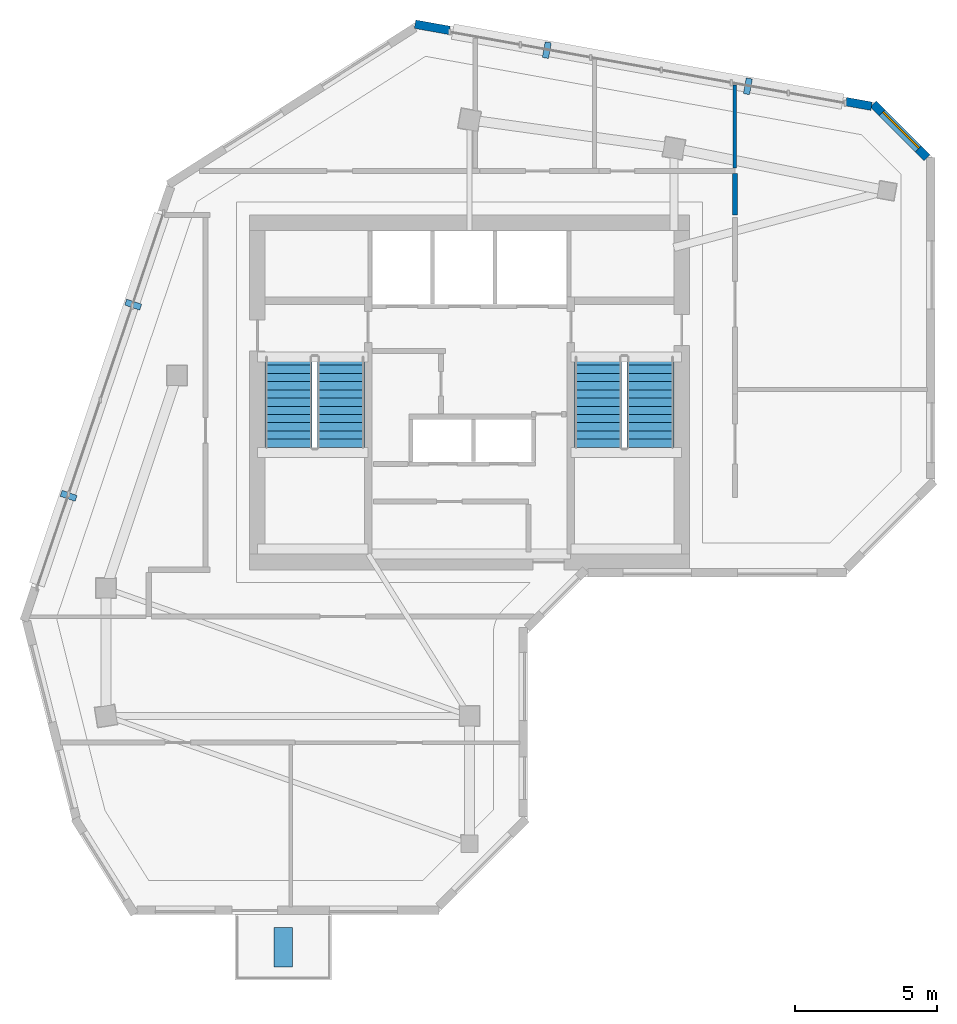
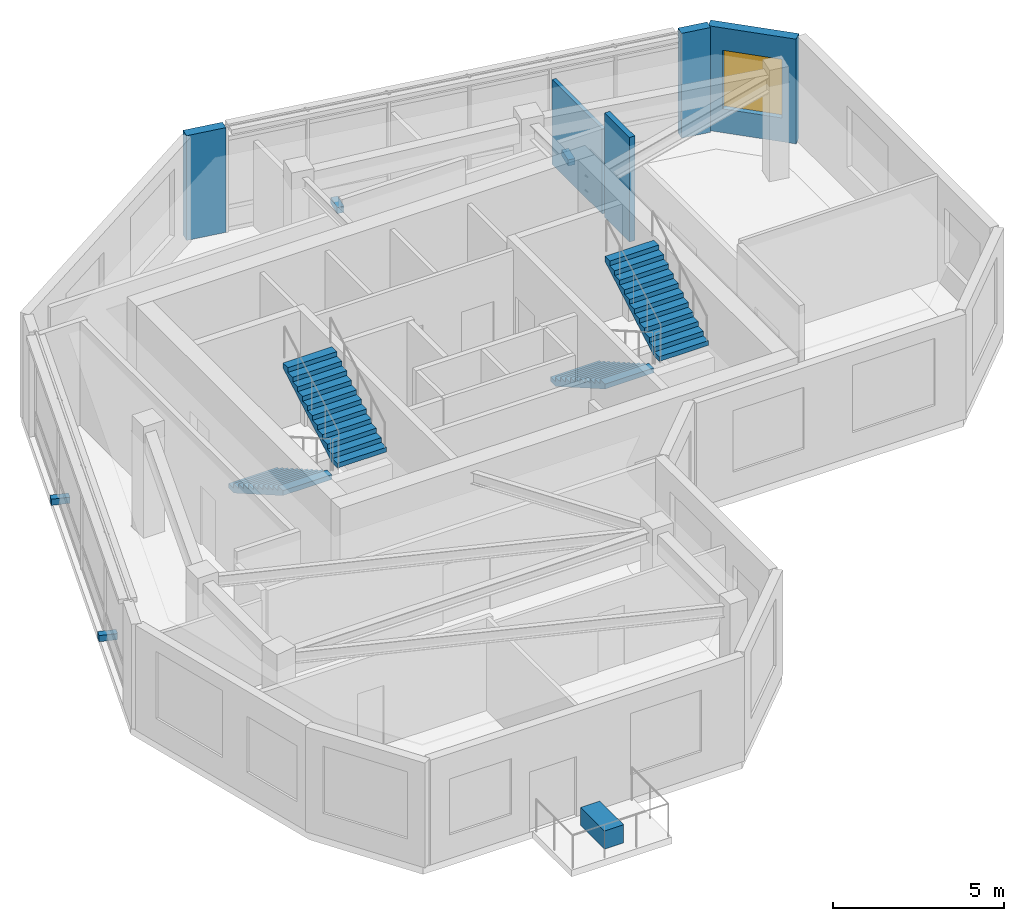
# One storey, part 5 of 8: 5 discrete accessories, 5 walls, 4 stair flights, 1 window, 1 opening, 2 elements without a shape of their own.
"""IFC4 building model written with IfcOpenShell, lengths in metres."""

from ifc_helpers import new_model, si_unit, direction, frame, frame_2d, origin, origin_2d, place, context, subcontext, project, spatial, polyline, rectangle, outline, extrude, source, transform, mapped, material, layer, layer_set, type_object, element, fill, aggregate, save


model = new_model("IFC4")

# Units and contexts
model_context = context("Model", 3, precision=1e-05, world=origin(), true_north=direction((0.0, 1.0)))
body_context = subcontext(model_context, "Body", "Model", "MODEL_VIEW")
ifc_project = project(units=[si_unit("LENGTHUNIT", "METRE"), si_unit("AREAUNIT", "SQUARE_METRE"), si_unit("VOLUMEUNIT", "CUBIC_METRE"), si_unit("PLANEANGLEUNIT", "RADIAN"), si_unit("MASSUNIT", "GRAM", prefix="KILO")], contexts=[model_context])

# Site, building, storey
site_placement = place(None, origin())
site = spatial("IfcSite", under=ifc_project, at=site_placement, CompositionType="ELEMENT")
building_placement = place(site_placement, origin())
building = spatial("IfcBuilding", under=site, at=building_placement, Name="Calvemar Wedge Station Tower", CompositionType="ELEMENT")
storey_placement = place(building_placement, frame((0.0, 0.0, 292.5)))
storey = spatial("IfcBuildingStorey", under=building, at=storey_placement, Name="L75", CompositionType="ELEMENT", Elevation=292.5)

# Wall
ifc_material_1 = material(Name="Double-stud fire-rated corridor partition")
ifc_layer_1 = layer(ifc_material_1, 0.179931640625)
ifc_layer_set_1 = layer_set([ifc_layer_1], Name="Double-stud fire-rated corridor partition")
wall_type_1 = type_object("IfcWallType", Name="W-CORR-180", PredefinedType="PARTITIONING", material=ifc_layer_set_1)
wall_1_placement = place(storey_placement, frame((33.14990234375, 47.60595703125, 0.0), z_axis=(0.0, 0.0, 1.0), x_axis=(0.0, -1.0, 0.0)))
element("IfcWall", 1, at=wall_1_placement, inside=storey, type_object=wall_type_1, Name="Storey L75 Interior Partition WL-L75-015", PredefinedType="PARTITIONING", context=body_context, shape_type="SweptSolid", body=[
    extrude(rectangle(XDim=1.4560546875, YDim=0.179931640625, at=frame_2d((0.72802734375, 0.0))), origin(), (0.0, 0.0, 1.0), 3.75),
])

# Wall, opening, window
ifc_material_2 = material(Name="Precast concrete C45", Category="concrete")
ifc_layer_2 = layer(ifc_material_2, 0.300048828125)
ifc_layer_set_2 = layer_set([ifc_layer_2], Name="Precast concrete C45")
wall_type_2 = type_object("IfcWallType", Name="W-EXT-GFRC-300", PredefinedType="SOLIDWALL", material=ifc_layer_set_2)
wall_2_placement = place(storey_placement, frame((39.912109375, 48.163818359375, 0.0), z_axis=(0.0, 0.0, 1.0), x_axis=(-0.70715242601, 0.707061133417, 0.0)))
wall_2 = element("IfcWall", 2, at=wall_2_placement, inside=storey, type_object=wall_type_2, Name="Storey L75 Bronze GFRC Exterior Wall 9", PredefinedType="SOLIDWALL", context=body_context, shape_type="SweptSolid", body=[
    extrude(rectangle(XDim=2.67431640625, YDim=0.300048828125, at=frame_2d((1.337158203125, 0.0))), origin(), (0.0, 0.0, 1.0), 3.75),
])
shared_shape_1 = source(origin(), body_context, "Body", "SweptSolid", [
    extrude(rectangle(XDim=1.800048828125, YDim=2.10009765625, at=frame_2d((0.89990234375, 1.050048828125))), frame((0.0, 0.16015625, 0.0), z_axis=(0.0, -1.0, 0.0), x_axis=(1.0, 0.0, 0.0)), (0.0, 0.0, 1.0), 0.320068359375),
])
opening_placement = place(wall_2_placement, frame((0.43701171875, 0.0, 0.85009765625)))
opening = element("IfcOpeningElement", 3, at=opening_placement, cuts=wall_2, Name="Opening W2", PredefinedType="OPENING", context=body_context, shape_type="MappedRepresentation", body=[
    mapped(shared_shape_1, transform((0.0, 0.0, 0.0), scale=1.0)),
])
ifc_material_3 = material(Name="Low-E laminated insulated glass", Category="glass")
window_type = type_object("IfcWindowType", Name="WIN-EXT-2", PartitioningType="SINGLE_PANEL", PredefinedType="WINDOW", material=ifc_material_3)
shared_shape_2 = source(origin(), body_context, "Body", "SweptSolid", [
    extrude(rectangle(XDim=1.800048828125, YDim=2.10009765625, at=frame_2d((0.89990234375, 1.050048828125))), frame((0.0, -0.014892578125, 0.0), z_axis=(0.0, -1.0, 0.0), x_axis=(1.0, 0.0, 0.0)), (0.0, 0.0, 1.0), 0.06005859375),
])
window_placement = place(opening_placement, origin())
window = element("IfcWindow", 4, at=window_placement, inside=storey, type_object=window_type, Name="Storey L75 Recessed Window 9.1", OverallHeight=2.10009765625, OverallWidth=1.800048828125, PartitioningType="SINGLE_PANEL", PredefinedType="WINDOW", context=body_context, shape_type="MappedRepresentation", body=[
    mapped(shared_shape_2, transform((0.0, 0.0, 0.0), scale=1.0)),
])
fill(opening, window)

# Walls
wall_3_placement = place(storey_placement, frame((37.961669921875, 49.978515625, 0.0), z_axis=(0.0, 0.0, 1.0), x_axis=(-0.984215051171, 0.176976645491, 0.0)))
element("IfcWall", 5, at=wall_3_placement, inside=storey, type_object=wall_type_2, Name="Storey L75 Bronze GFRC Corner Pier 10A", PredefinedType="SOLIDWALL", context=body_context, shape_type="SweptSolid", body=[
    extrude(rectangle(XDim=0.911865234375, YDim=0.300048828125, at=frame_2d((0.4560546875, 0.0))), origin(), (0.0, 0.0, 1.0), 3.75),
])
wall_4_placement = place(storey_placement, frame((23.093994140625, 52.65087890625, 0.0), z_axis=(0.0, 0.0, 1.0), x_axis=(-0.984233125072, 0.176876102146, 0.0)))
element("IfcWall", 6, at=wall_4_placement, inside=storey, type_object=wall_type_2, Name="Storey L75 Bronze GFRC Corner Pier 10B", PredefinedType="SOLIDWALL", context=body_context, shape_type="SweptSolid", body=[
    extrude(rectangle(XDim=1.229736328125, YDim=0.300048828125, at=frame_2d((0.61474609375, 0.0))), origin(), (0.0, 0.0, 1.0), 3.75),
])
ifc_material_4 = material(Name="Insulated acoustic gypsum stud partition")
ifc_layer_3 = layer(ifc_material_4, 0.125)
ifc_layer_set_3 = layer_set([ifc_layer_3], Name="Insulated acoustic gypsum stud partition")
wall_type_3 = type_object("IfcWallType", Name="W-PART-125", PredefinedType="PARTITIONING", material=ifc_layer_set_3)
wall_5_placement = place(storey_placement, frame((33.14990234375, 50.7265625, 0.0), z_axis=(0.0, 0.0, 1.0), x_axis=(0.0, -1.0, 0.0)))
element("IfcWall", 7, at=wall_5_placement, inside=storey, type_object=wall_type_3, Name="Storey L75 Interior Partition WL-L75-021", PredefinedType="PARTITIONING", context=body_context, shape_type="SweptSolid", body=[
    extrude(rectangle(XDim=2.9326171875, YDim=0.125, at=frame_2d((1.46630859375, 0.0))), origin(), (0.0, 0.0, 1.0), 3.0419921875),
])

# Stair, stair flights
ifc_material_5 = material(Name="Concrete C45", Category="concrete")
stair_type = type_object("IfcStairType", Name="ST-TYPE-4000", PredefinedType="HALF_TURN_STAIR", material=ifc_material_5)
stair_1_placement = place(storey_placement, origin())
stair_1 = element("IfcStair", 8, at=stair_1_placement, inside=storey, type_object=stair_type, Name="L75 Pressurized Core Exit Stair ST-C1", PredefinedType="HALF_TURN_STAIR")
stair_flight_type = type_object("IfcStairFlightType", Name="STF-TYPE-4000", PredefinedType="STRAIGHT", material=ifc_material_5)
stair_flight_1_placement = place(storey_placement, frame((17.429931640625, 41.14990234375, 0.0), z_axis=(0.0, 0.0, 1.0), x_axis=(0.0, -1.0, 0.0)))
stair_flight_1 = element("IfcStairFlight", 9, at=stair_flight_1_placement, type_object=stair_flight_type, Name="ST-C1 flight 1", NumberOfRisers=12, NumberOfTreads=11, PredefinedType="STRAIGHT", RiserHeight=0.166666667, TreadLength=0.29, context=body_context, shape_type="SweptSolid", body=[
    extrude(outline(polyline([(0.0, 0.0), (0.0, 0.166748046875), (0.2900390625, 0.166748046875), (0.2900390625, 0.333251953125), (0.580078125, 0.333251953125), (0.580078125, 0.5), (0.8701171875, 0.5), (0.8701171875, 0.666748046875), (1.159912109375, 0.666748046875), (1.159912109375, 0.833251953125), (1.449951171875, 0.833251953125), (1.449951171875, 1.0), (1.739990234375, 1.0), (1.739990234375, 1.166748046875), (2.030029296875, 1.166748046875), (2.030029296875, 1.333251953125), (2.320068359375, 1.333251953125), (2.320068359375, 1.5), (2.610107421875, 1.5), (2.610107421875, 1.666748046875), (2.89990234375, 1.666748046875), (2.89990234375, 1.833251953125), (3.18994140625, 1.833251953125), (3.18994140625, 2.0), (3.18994140625, 1.660400390625), (0.30078125, 0.0), (0.0, 0.0)])), frame((0.0, 0.830078125, 0.0), z_axis=(0.0, -1.0, 0.0), x_axis=(1.0, 0.0, 0.0)), (0.0, 0.0, 1.0), 1.659912109375),
])
stair_flight_2_placement = place(storey_placement, frame((19.27001953125, 37.9599609375, 2.0), z_axis=(0.0, 0.0, 1.0), x_axis=(0.0, 1.0, 0.0)))
stair_flight_2 = element("IfcStairFlight", 10, at=stair_flight_2_placement, type_object=stair_flight_type, Name="ST-C1 flight 2", NumberOfRisers=12, NumberOfTreads=11, PredefinedType="STRAIGHT", RiserHeight=0.166666667, TreadLength=0.29, context=body_context, shape_type="SweptSolid", body=[
    extrude(outline(polyline([(0.0, 0.0), (0.0, 0.166748046875), (0.2900390625, 0.166748046875), (0.2900390625, 0.333251953125), (0.580078125, 0.333251953125), (0.580078125, 0.5), (0.8701171875, 0.5), (0.8701171875, 0.666748046875), (1.159912109375, 0.666748046875), (1.159912109375, 0.833251953125), (1.449951171875, 0.833251953125), (1.449951171875, 1.0), (1.739990234375, 1.0), (1.739990234375, 1.166748046875), (2.030029296875, 1.166748046875), (2.030029296875, 1.333251953125), (2.320068359375, 1.333251953125), (2.320068359375, 1.5), (2.610107421875, 1.5), (2.610107421875, 1.666748046875), (2.89990234375, 1.666748046875), (2.89990234375, 1.833251953125), (3.18994140625, 1.833251953125), (3.18994140625, 2.0), (3.18994140625, 1.660400390625), (0.30078125, 0.0), (0.0, 0.0)])), frame((0.0, 0.830078125, 0.0), z_axis=(0.0, -1.0, 0.0), x_axis=(1.0, 0.0, 0.0)), (0.0, 0.0, 1.0), 1.659912109375),
])
aggregate(stair_1, [stair_flight_1, stair_flight_2])

stair_2_placement = place(storey_placement, origin())
stair_2 = element("IfcStair", 11, at=stair_2_placement, inside=storey, type_object=stair_type, Name="L75 Pressurized Core Exit Stair ST-C2", PredefinedType="HALF_TURN_STAIR")
stair_flight_3_placement = place(storey_placement, frame((28.330078125, 41.14990234375, 0.0), z_axis=(0.0, 0.0, 1.0), x_axis=(0.0, -1.0, 0.0)))
stair_flight_3 = element("IfcStairFlight", 12, at=stair_flight_3_placement, type_object=stair_flight_type, Name="ST-C2 flight 1", NumberOfRisers=12, NumberOfTreads=11, PredefinedType="STRAIGHT", RiserHeight=0.166666667, TreadLength=0.29, context=body_context, shape_type="SweptSolid", body=[
    extrude(outline(polyline([(0.0, 0.0), (0.0, 0.166748046875), (0.2900390625, 0.166748046875), (0.2900390625, 0.333251953125), (0.580078125, 0.333251953125), (0.580078125, 0.5), (0.8701171875, 0.5), (0.8701171875, 0.666748046875), (1.159912109375, 0.666748046875), (1.159912109375, 0.833251953125), (1.449951171875, 0.833251953125), (1.449951171875, 1.0), (1.739990234375, 1.0), (1.739990234375, 1.166748046875), (2.030029296875, 1.166748046875), (2.030029296875, 1.333251953125), (2.320068359375, 1.333251953125), (2.320068359375, 1.5), (2.610107421875, 1.5), (2.610107421875, 1.666748046875), (2.89990234375, 1.666748046875), (2.89990234375, 1.833251953125), (3.18994140625, 1.833251953125), (3.18994140625, 2.0), (3.18994140625, 1.660400390625), (0.30078125, 0.0), (0.0, 0.0)])), frame((0.0, 0.830078125, 0.0), z_axis=(0.0, -1.0, 0.0), x_axis=(1.0, 0.0, 0.0)), (0.0, 0.0, 1.0), 1.659912109375),
])
stair_flight_4_placement = place(storey_placement, frame((30.169921875, 37.9599609375, 2.0), z_axis=(0.0, 0.0, 1.0), x_axis=(0.0, 1.0, 0.0)))
stair_flight_4 = element("IfcStairFlight", 13, at=stair_flight_4_placement, type_object=stair_flight_type, Name="ST-C2 flight 2", NumberOfRisers=12, NumberOfTreads=11, PredefinedType="STRAIGHT", RiserHeight=0.166666667, TreadLength=0.29, context=body_context, shape_type="SweptSolid", body=[
    extrude(outline(polyline([(0.0, 0.0), (0.0, 0.166748046875), (0.2900390625, 0.166748046875), (0.2900390625, 0.333251953125), (0.580078125, 0.333251953125), (0.580078125, 0.5), (0.8701171875, 0.5), (0.8701171875, 0.666748046875), (1.159912109375, 0.666748046875), (1.159912109375, 0.833251953125), (1.449951171875, 0.833251953125), (1.449951171875, 1.0), (1.739990234375, 1.0), (1.739990234375, 1.166748046875), (2.030029296875, 1.166748046875), (2.030029296875, 1.333251953125), (2.320068359375, 1.333251953125), (2.320068359375, 1.5), (2.610107421875, 1.5), (2.610107421875, 1.666748046875), (2.89990234375, 1.666748046875), (2.89990234375, 1.833251953125), (3.18994140625, 1.833251953125), (3.18994140625, 2.0), (3.18994140625, 1.660400390625), (0.30078125, 0.0), (0.0, 0.0)])), frame((0.0, 0.830078125, 0.0), z_axis=(0.0, -1.0, 0.0), x_axis=(1.0, 0.0, 0.0)), (0.0, 0.0, 1.0), 1.659912109375),
])
aggregate(stair_2, [stair_flight_3, stair_flight_4])

# Discrete accessories
ifc_material_6 = material(Name="Stainless steel AISI 316L", Category="steel")
discrete_accessory_type_1 = type_object("IfcDiscreteAccessoryType", Name="BRK-316L", PredefinedType="BRACKET", material=ifc_material_6)
shared_shape_3 = source(origin(), body_context, "Body", "SweptSolid", [
    extrude(rectangle(XDim=0.219970703125, YDim=0.56005859375, at=origin_2d()), origin(), (0.0, 0.0, 1.0), 0.219970703125),
])
for number, where, z_axis, x_axis, name in (
    (14, (33.606201171875, 50.68017578125, 0.0), (0.0, 0.0, 1.0), (-0.984226500097, 0.176912963085, 0.0), "Storey L75 Recessed Facade Stainless Bracket 10.1"),
    (15, (26.52392578125, 51.953125, 0.0), (0.0, 0.0, 1.0), (-0.984226500097, 0.176912963085, 0.0), "Storey L75 Recessed Facade Stainless Bracket 10.2"),
    (16, (11.95361328125, 42.989990234375, 0.0), (0.0, 0.0, 1.0), (-0.319951634986, -0.947433876991, 0.0), "Storey L75 Recessed Facade Stainless Bracket 12.1"),
    (17, (9.67919921875, 36.25439453125, 0.0), (0.0, 0.0, 1.0), (-0.319951634986, -0.947433876991, 0.0), "Storey L75 Recessed Facade Stainless Bracket 12.2"),
):
    element("IfcDiscreteAccessory", number, at=place(storey_placement, frame(where, z_axis=z_axis, x_axis=x_axis)), inside=storey, type_object=discrete_accessory_type_1, Name=name, PredefinedType="BRACKET", context=body_context, shape_type="MappedRepresentation", body=[
        mapped(shared_shape_3, transform((0.0, 0.0, 0.0), scale=1.0)),
    ])
discrete_accessory_type_2 = type_object("IfcDiscreteAccessoryType", Name="ACC-PLANTER", PredefinedType="USERDEFINED", material=ifc_material_2)
shared_shape_4 = source(origin(), body_context, "Body", "SweptSolid", [
    extrude(rectangle(XDim=0.64990234375, YDim=1.39990234375, at=origin_2d()), origin(), (0.0, 0.0, 1.0), 0.64990234375),
])
discrete_accessory_placement = place(storey_placement, frame((17.239990234375, 20.35009765625, 0.0), z_axis=(0.0, 0.0, 1.0), x_axis=(1.0, 0.0, 0.0)))
element("IfcDiscreteAccessory", 18, at=discrete_accessory_placement, inside=storey, type_object=discrete_accessory_type_2, Name="Storey L75 Planted Terrace GFRC Planter", ObjectType="PLANTER", PredefinedType="USERDEFINED", context=body_context, shape_type="MappedRepresentation", body=[
    mapped(shared_shape_4, transform((0.0, 0.0, 0.0), scale=1.0)),
])

save(model, "model.ifc")
